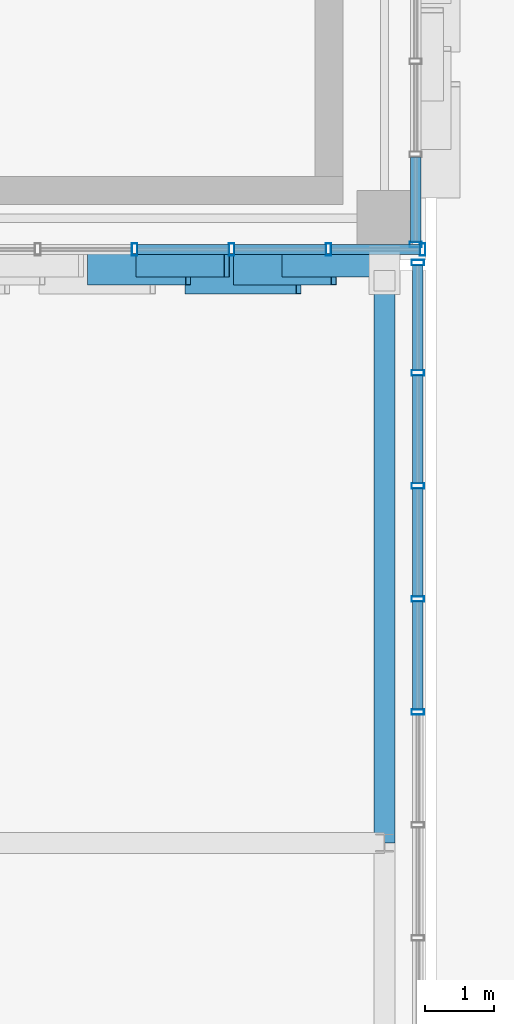
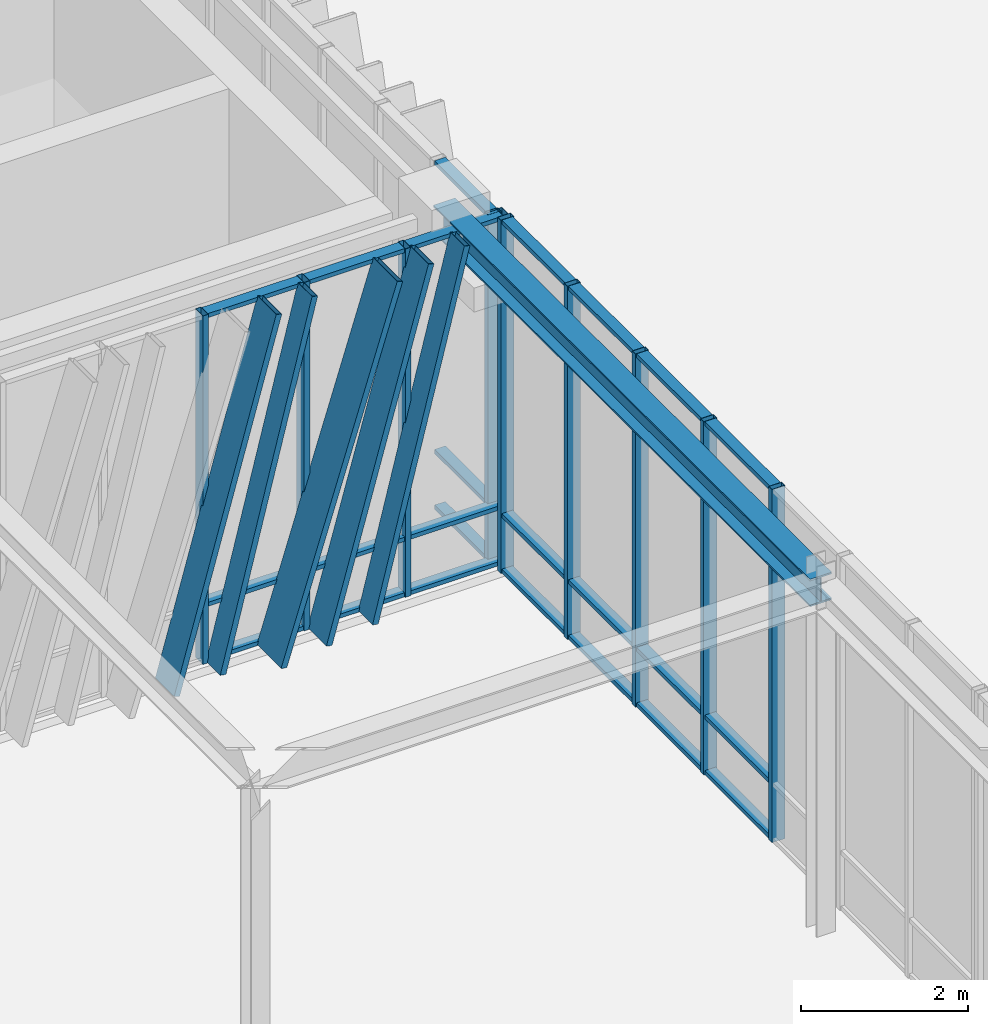
# One storey, part 26 of 122: 39 members, 1 beam, 3 elements without a shape of their own.
"""IFC4 building model written with IfcOpenShell, lengths in metres."""

from ifc_helpers import new_model, si_unit, direction, frame, origin, origin_2d, place, context, subcontext, project, spatial, hollow_rectangle, i_section, extrude, material, layer, layer_set, material_profile, profile_set, type_object, element, aggregate, save


model = new_model("IFC4")

# Units and contexts
model_context = context("Model", 3, precision=1e-05, world=origin(), true_north=direction((0.0, 1.0)))
body_context = subcontext(model_context, "Body", "Model", "MODEL_VIEW")
ifc_project = project(units=[si_unit("LENGTHUNIT", "METRE"), si_unit("AREAUNIT", "SQUARE_METRE"), si_unit("VOLUMEUNIT", "CUBIC_METRE"), si_unit("PLANEANGLEUNIT", "RADIAN"), si_unit("MASSUNIT", "GRAM", prefix="KILO")], contexts=[model_context])

# Site, building, storey
site_placement = place(None, origin())
site = spatial("IfcSite", under=ifc_project, at=site_placement, CompositionType="ELEMENT")
building_placement = place(site_placement, origin())
building = spatial("IfcBuilding", under=site, at=building_placement, Name="Zayran Congress Hotel", CompositionType="ELEMENT")
storey_placement = place(building_placement, origin())
storey = spatial("IfcBuildingStorey", under=building, at=storey_placement, Name="L00", CompositionType="ELEMENT", Elevation=0.0)

# Beam
ifc_material_1 = material(Name="Steel S355", Category="steel")
ifc_material_profile_1 = material_profile(ifc_material_1, i_section(OverallWidth=0.300048828125, OverallDepth=0.39990234375, WebThickness=0.013427734375, FlangeThickness=0.02392578125, at=origin_2d()), Name="HEB 400")
ifc_profile_set_1 = profile_set([ifc_material_profile_1], Name="Steel S355")
beam_type = type_object("IfcBeamType", Name="TP-BM-10", PredefinedType="BEAM", material=ifc_profile_set_1)
beam_placement = place(storey_placement, frame((91.800048828125, 59.199951171875, 4.949951171875), z_axis=(0.0, 1.0, 0.0), x_axis=(-1.0, 0.0, 0.0)))
element("IfcBeam", 1, at=beam_placement, inside=storey, type_object=beam_type, Name="BM-BR2Y-L00-2457", PredefinedType="BEAM", context=body_context, shape_type="SweptSolid", body=[
    extrude(i_section(OverallWidth=0.300048828125, OverallDepth=0.39990234375, WebThickness=0.013427734375, FlangeThickness=0.02392578125, at=origin_2d()), origin(), (0.0, 0.0, 1.0), 9.0),
])

# Curtain wall, members
ifc_material_2 = material(Name="Anodised aluminium and low-E insulated glass", Category="aluminium")
ifc_layer_1 = layer(ifc_material_2, 0.179931640625)
ifc_layer_set_1 = layer_set([ifc_layer_1], Name="Anodised aluminium and low-E insulated glass")
curtain_wall_type_1 = type_object("IfcCurtainWallType", Name="CW-V1S-L00-CW-11-8380-5080", PredefinedType="USERDEFINED", material=ifc_layer_set_1)
curtain_wall_1_placement = place(storey_placement, origin())
curtain_wall_1 = element("IfcCurtainWall", 2, at=curtain_wall_1_placement, inside=storey, type_object=curtain_wall_type_1, Name="CW-V1S-L00-9", ObjectType="CURTAIN WALL", PredefinedType="USERDEFINED")
ifc_material_3 = material(Name="Anodised aluminium framing", Category="aluminium")
ifc_material_profile_2 = material_profile(ifc_material_3, hollow_rectangle(XDim=0.080078125, YDim=0.179931640625, WallThickness=0.0048828125, at=origin_2d()), Name="RHS 180x80x5")
ifc_profile_set_2 = profile_set([ifc_material_profile_2], Name="Anodised aluminium framing")
member_type_1 = type_object("IfcMemberType", Name="TP-CWM-01", PredefinedType="MULLION", material=ifc_profile_set_2)
member_1_placement = place(storey_placement, frame((88.199951171875, 67.75, 0.0), z_axis=(0.0, 0.0, 1.0), x_axis=(1.0, 0.0, 0.0)))
member_1 = element("IfcMember", 3, at=member_1_placement, type_object=member_type_1, Name="CW-V1S-L00-9-M03", PredefinedType="MULLION", context=body_context, shape_type="SweptSolid", body=[
    extrude(hollow_rectangle(XDim=0.080078125, YDim=0.179931640625, WallThickness=0.0048828125, at=origin_2d()), origin(), (0.0, 0.0, 1.0), 5.080078125),
])
member_2_placement = place(storey_placement, frame((89.5966796875, 67.75, 0.0), z_axis=(0.0, 0.0, 1.0), x_axis=(1.0, 0.0, 0.0)))
member_2 = element("IfcMember", 4, at=member_2_placement, type_object=member_type_1, Name="CW-V1S-L00-9-M04", PredefinedType="MULLION", context=body_context, shape_type="SweptSolid", body=[
    extrude(hollow_rectangle(XDim=0.080078125, YDim=0.179931640625, WallThickness=0.0048828125, at=origin_2d()), origin(), (0.0, 0.0, 1.0), 5.080078125),
])
member_3_placement = place(storey_placement, frame((90.993408203125, 67.75, 0.0), z_axis=(0.0, 0.0, 1.0), x_axis=(1.0, 0.0, 0.0)))
member_3 = element("IfcMember", 5, at=member_3_placement, type_object=member_type_1, Name="CW-V1S-L00-9-M05", PredefinedType="MULLION", context=body_context, shape_type="SweptSolid", body=[
    extrude(hollow_rectangle(XDim=0.080078125, YDim=0.179931640625, WallThickness=0.0048828125, at=origin_2d()), origin(), (0.0, 0.0, 1.0), 5.080078125),
])
member_4_placement = place(storey_placement, frame((92.35009765625, 67.75, 0.0), z_axis=(0.0, 0.0, 1.0), x_axis=(1.0, 0.0, 0.0)))
member_4 = element("IfcMember", 6, at=member_4_placement, type_object=member_type_1, Name="CW-V1S-L00-9-M06", PredefinedType="MULLION", context=body_context, shape_type="SweptSolid", body=[
    extrude(hollow_rectangle(XDim=0.080078125, YDim=0.179931640625, WallThickness=0.0048828125, at=origin_2d()), origin(), (0.0, 0.0, 1.0), 5.080078125),
])

# Curtain wall, member
ifc_layer_2 = layer(ifc_material_2, 0.179931640625)
ifc_layer_set_2 = layer_set([ifc_layer_2], Name="Anodised aluminium and low-E insulated glass")
curtain_wall_type_2 = type_object("IfcCurtainWallType", Name="CW-V1E-L00-CW-41-8040-5080", PredefinedType="USERDEFINED", material=ifc_layer_set_2)
curtain_wall_2_placement = place(storey_placement, origin())
curtain_wall_2 = element("IfcCurtainWall", 7, at=curtain_wall_2_placement, inside=storey, type_object=curtain_wall_type_2, Name="CW-V1E-L00-0", ObjectType="CURTAIN WALL", PredefinedType="USERDEFINED")
member_5_placement = place(storey_placement, frame((92.25, 67.820068359375, 0.0), z_axis=(0.0, 0.0, 1.0), x_axis=(0.0, 1.0, 0.0)))
member_5 = element("IfcMember", 8, at=member_5_placement, type_object=member_type_1, Name="CW-V1E-L00-0-M00", PredefinedType="MULLION", context=body_context, shape_type="SweptSolid", body=[
    extrude(hollow_rectangle(XDim=0.080078125, YDim=0.179931640625, WallThickness=0.0048828125, at=origin_2d()), origin(), (0.0, 0.0, 1.0), 5.080078125),
])

# Curtain wall, members
ifc_layer_3 = layer(ifc_material_2, 0.179931640625)
ifc_layer_set_3 = layer_set([ifc_layer_3], Name="Anodised aluminium and low-E insulated glass")
curtain_wall_type_3 = type_object("IfcCurtainWallType", Name="CW-BR2-L00-CW-BR2-11400-5150", PredefinedType="USERDEFINED", material=ifc_layer_set_3)
curtain_wall_3_placement = place(storey_placement, origin())
curtain_wall_3 = element("IfcCurtainWall", 9, at=curtain_wall_3_placement, inside=storey, type_object=curtain_wall_type_3, Name="CW-BR2E-L00-2", ObjectType="CURTAIN WALL", PredefinedType="USERDEFINED")
member_6_placement = place(storey_placement, frame((92.280029296875, 61.085693359375, 0.0), z_axis=(0.0, 0.0, 1.0), x_axis=(0.0, 1.0, 0.0)))
member_6 = element("IfcMember", 10, at=member_6_placement, type_object=member_type_1, Name="CW-BR2E-L00-2-M03", PredefinedType="MULLION", context=body_context, shape_type="SweptSolid", body=[
    extrude(hollow_rectangle(XDim=0.080078125, YDim=0.179931640625, WallThickness=0.0048828125, at=origin_2d()), origin(), (0.0, 0.0, 1.0), 5.14990234375),
])
member_7_placement = place(storey_placement, frame((92.280029296875, 62.71435546875, 0.0), z_axis=(0.0, 0.0, 1.0), x_axis=(0.0, 1.0, 0.0)))
member_7 = element("IfcMember", 11, at=member_7_placement, type_object=member_type_1, Name="CW-BR2E-L00-2-M04", PredefinedType="MULLION", context=body_context, shape_type="SweptSolid", body=[
    extrude(hollow_rectangle(XDim=0.080078125, YDim=0.179931640625, WallThickness=0.0048828125, at=origin_2d()), origin(), (0.0, 0.0, 1.0), 5.14990234375),
])
member_8_placement = place(storey_placement, frame((92.280029296875, 64.343017578125, 0.0), z_axis=(0.0, 0.0, 1.0), x_axis=(0.0, 1.0, 0.0)))
member_8 = element("IfcMember", 12, at=member_8_placement, type_object=member_type_1, Name="CW-BR2E-L00-2-M05", PredefinedType="MULLION", context=body_context, shape_type="SweptSolid", body=[
    extrude(hollow_rectangle(XDim=0.080078125, YDim=0.179931640625, WallThickness=0.0048828125, at=origin_2d()), origin(), (0.0, 0.0, 1.0), 5.14990234375),
])
member_9_placement = place(storey_placement, frame((92.280029296875, 65.971435546875, 0.0), z_axis=(0.0, 0.0, 1.0), x_axis=(0.0, 1.0, 0.0)))
member_9 = element("IfcMember", 13, at=member_9_placement, type_object=member_type_1, Name="CW-BR2E-L00-2-M06", PredefinedType="MULLION", context=body_context, shape_type="SweptSolid", body=[
    extrude(hollow_rectangle(XDim=0.080078125, YDim=0.179931640625, WallThickness=0.0048828125, at=origin_2d()), origin(), (0.0, 0.0, 1.0), 5.14990234375),
])
member_10_placement = place(storey_placement, frame((92.280029296875, 67.56005859375, 0.0), z_axis=(0.0, 0.0, 1.0), x_axis=(0.0, 1.0, 0.0)))
member_10 = element("IfcMember", 14, at=member_10_placement, type_object=member_type_1, Name="CW-BR2E-L00-2-M07", PredefinedType="MULLION", context=body_context, shape_type="SweptSolid", body=[
    extrude(hollow_rectangle(XDim=0.080078125, YDim=0.179931640625, WallThickness=0.0048828125, at=origin_2d()), origin(), (0.0, 0.0, 1.0), 5.14990234375),
])

# Member
ifc_material_profile_3 = material_profile(ifc_material_3, hollow_rectangle(XDim=0.06005859375, YDim=0.14990234375, WallThickness=0.00390625, at=origin_2d()), Name="RHS 150x60x4")
ifc_profile_set_3 = profile_set([ifc_material_profile_3], Name="Anodised aluminium framing")
member_type_2 = type_object("IfcMemberType", Name="TP-CWT-01", PredefinedType="USERDEFINED", material=ifc_profile_set_3)
member_11_placement = place(storey_placement, frame((88.239990234375, 67.75, 0.030029296875), z_axis=(1.0, 0.0, 0.0), x_axis=(0.0, 0.0, 1.0)))
member_11 = element("IfcMember", 15, at=member_11_placement, type_object=member_type_2, Name="CW-V1S-L00-9-T03-0", ObjectType="TRANSOM", PredefinedType="USERDEFINED", context=body_context, shape_type="SweptSolid", body=[
    extrude(hollow_rectangle(XDim=0.06005859375, YDim=0.14990234375, WallThickness=0.00390625, at=origin_2d()), origin(), (0.0, 0.0, 1.0), 1.316650390625),
])

member_12_placement = place(storey_placement, frame((88.239990234375, 67.75, 0.840087890625), z_axis=(1.0, 0.0, 0.0), x_axis=(0.0, 0.0, 1.0)))
member_12 = element("IfcMember", 16, at=member_12_placement, type_object=member_type_2, Name="CW-V1S-L00-9-T03-1", ObjectType="TRANSOM", PredefinedType="USERDEFINED", context=body_context, shape_type="SweptSolid", body=[
    extrude(hollow_rectangle(XDim=0.06005859375, YDim=0.14990234375, WallThickness=0.00390625, at=origin_2d()), origin(), (0.0, 0.0, 1.0), 1.316650390625),
])

member_13_placement = place(storey_placement, frame((88.239990234375, 67.75, 5.050048828125), z_axis=(1.0, 0.0, 0.0), x_axis=(0.0, 0.0, 1.0)))
member_13 = element("IfcMember", 17, at=member_13_placement, type_object=member_type_2, Name="CW-V1S-L00-9-T03-2", ObjectType="TRANSOM", PredefinedType="USERDEFINED", context=body_context, shape_type="SweptSolid", body=[
    extrude(hollow_rectangle(XDim=0.06005859375, YDim=0.14990234375, WallThickness=0.00390625, at=origin_2d()), origin(), (0.0, 0.0, 1.0), 1.316650390625),
])

member_14_placement = place(storey_placement, frame((89.63671875, 67.75, 0.030029296875), z_axis=(1.0, 0.0, 0.0), x_axis=(0.0, 0.0, 1.0)))
member_14 = element("IfcMember", 18, at=member_14_placement, type_object=member_type_2, Name="CW-V1S-L00-9-T04-0", ObjectType="TRANSOM", PredefinedType="USERDEFINED", context=body_context, shape_type="SweptSolid", body=[
    extrude(hollow_rectangle(XDim=0.06005859375, YDim=0.14990234375, WallThickness=0.00390625, at=origin_2d()), origin(), (0.0, 0.0, 1.0), 1.316650390625),
])

member_15_placement = place(storey_placement, frame((89.63671875, 67.75, 0.840087890625), z_axis=(1.0, 0.0, 0.0), x_axis=(0.0, 0.0, 1.0)))
member_15 = element("IfcMember", 19, at=member_15_placement, type_object=member_type_2, Name="CW-V1S-L00-9-T04-1", ObjectType="TRANSOM", PredefinedType="USERDEFINED", context=body_context, shape_type="SweptSolid", body=[
    extrude(hollow_rectangle(XDim=0.06005859375, YDim=0.14990234375, WallThickness=0.00390625, at=origin_2d()), origin(), (0.0, 0.0, 1.0), 1.316650390625),
])

member_16_placement = place(storey_placement, frame((89.63671875, 67.75, 5.050048828125), z_axis=(1.0, 0.0, 0.0), x_axis=(0.0, 0.0, 1.0)))
member_16 = element("IfcMember", 20, at=member_16_placement, type_object=member_type_2, Name="CW-V1S-L00-9-T04-2", ObjectType="TRANSOM", PredefinedType="USERDEFINED", context=body_context, shape_type="SweptSolid", body=[
    extrude(hollow_rectangle(XDim=0.06005859375, YDim=0.14990234375, WallThickness=0.00390625, at=origin_2d()), origin(), (0.0, 0.0, 1.0), 1.316650390625),
])

member_17_placement = place(storey_placement, frame((91.033203125, 67.75, 0.030029296875), z_axis=(1.0, 0.0, 0.0), x_axis=(0.0, 0.0, 1.0)))
member_17 = element("IfcMember", 21, at=member_17_placement, type_object=member_type_2, Name="CW-V1S-L00-9-T05-0", ObjectType="TRANSOM", PredefinedType="USERDEFINED", context=body_context, shape_type="SweptSolid", body=[
    extrude(hollow_rectangle(XDim=0.06005859375, YDim=0.14990234375, WallThickness=0.00390625, at=origin_2d()), origin(), (0.0, 0.0, 1.0), 1.27685546875),
])

member_18_placement = place(storey_placement, frame((91.033203125, 67.75, 0.840087890625), z_axis=(1.0, 0.0, 0.0), x_axis=(0.0, 0.0, 1.0)))
member_18 = element("IfcMember", 22, at=member_18_placement, type_object=member_type_2, Name="CW-V1S-L00-9-T05-1", ObjectType="TRANSOM", PredefinedType="USERDEFINED", context=body_context, shape_type="SweptSolid", body=[
    extrude(hollow_rectangle(XDim=0.06005859375, YDim=0.14990234375, WallThickness=0.00390625, at=origin_2d()), origin(), (0.0, 0.0, 1.0), 1.27685546875),
])

member_19_placement = place(storey_placement, frame((91.033203125, 67.75, 5.050048828125), z_axis=(1.0, 0.0, 0.0), x_axis=(0.0, 0.0, 1.0)))
member_19 = element("IfcMember", 23, at=member_19_placement, type_object=member_type_2, Name="CW-V1S-L00-9-T05-2", ObjectType="TRANSOM", PredefinedType="USERDEFINED", context=body_context, shape_type="SweptSolid", body=[
    extrude(hollow_rectangle(XDim=0.06005859375, YDim=0.14990234375, WallThickness=0.00390625, at=origin_2d()), origin(), (0.0, 0.0, 1.0), 1.27685546875),
])

member_20_placement = place(storey_placement, frame((92.25, 67.860107421875, 0.030029296875), z_axis=(0.0, 1.0, 0.0), x_axis=(0.0, 0.0, 1.0)))
member_20 = element("IfcMember", 24, at=member_20_placement, type_object=member_type_2, Name="CW-V1E-L00-0-T00-0", ObjectType="TRANSOM", PredefinedType="USERDEFINED", context=body_context, shape_type="SweptSolid", body=[
    extrude(hollow_rectangle(XDim=0.06005859375, YDim=0.14990234375, WallThickness=0.00390625, at=origin_2d()), origin(), (0.0, 0.0, 1.0), 1.219970703125),
])

member_21_placement = place(storey_placement, frame((92.25, 67.860107421875, 0.840087890625), z_axis=(0.0, 1.0, 0.0), x_axis=(0.0, 0.0, 1.0)))
member_21 = element("IfcMember", 25, at=member_21_placement, type_object=member_type_2, Name="CW-V1E-L00-0-T00-1", ObjectType="TRANSOM", PredefinedType="USERDEFINED", context=body_context, shape_type="SweptSolid", body=[
    extrude(hollow_rectangle(XDim=0.06005859375, YDim=0.14990234375, WallThickness=0.00390625, at=origin_2d()), origin(), (0.0, 0.0, 1.0), 1.219970703125),
])

member_22_placement = place(storey_placement, frame((92.25, 67.860107421875, 5.050048828125), z_axis=(0.0, 1.0, 0.0), x_axis=(0.0, 0.0, 1.0)))
member_22 = element("IfcMember", 26, at=member_22_placement, type_object=member_type_2, Name="CW-V1E-L00-0-T00-2", ObjectType="TRANSOM", PredefinedType="USERDEFINED", context=body_context, shape_type="SweptSolid", body=[
    extrude(hollow_rectangle(XDim=0.06005859375, YDim=0.14990234375, WallThickness=0.00390625, at=origin_2d()), origin(), (0.0, 0.0, 1.0), 1.219970703125),
])

aggregate(curtain_wall_2, [member_5, member_20, member_21, member_22])

member_23_placement = place(storey_placement, frame((92.280029296875, 61.125732421875, 0.030029296875), z_axis=(0.0, 1.0, 0.0), x_axis=(0.0, 0.0, 1.0)))
member_23 = element("IfcMember", 27, at=member_23_placement, type_object=member_type_2, Name="CW-BR2E-L00-2-T03-0", ObjectType="TRANSOM", PredefinedType="USERDEFINED", context=body_context, shape_type="SweptSolid", body=[
    extrude(hollow_rectangle(XDim=0.06005859375, YDim=0.14990234375, WallThickness=0.00390625, at=origin_2d()), origin(), (0.0, 0.0, 1.0), 1.548583984375),
])

member_24_placement = place(storey_placement, frame((92.280029296875, 61.125732421875, 0.840087890625), z_axis=(0.0, 1.0, 0.0), x_axis=(0.0, 0.0, 1.0)))
member_24 = element("IfcMember", 28, at=member_24_placement, type_object=member_type_2, Name="CW-BR2E-L00-2-T03-1", ObjectType="TRANSOM", PredefinedType="USERDEFINED", context=body_context, shape_type="SweptSolid", body=[
    extrude(hollow_rectangle(XDim=0.06005859375, YDim=0.14990234375, WallThickness=0.00390625, at=origin_2d()), origin(), (0.0, 0.0, 1.0), 1.548583984375),
])

member_25_placement = place(storey_placement, frame((92.280029296875, 61.125732421875, 5.1201171875), z_axis=(0.0, 1.0, 0.0), x_axis=(0.0, 0.0, 1.0)))
member_25 = element("IfcMember", 29, at=member_25_placement, type_object=member_type_2, Name="CW-BR2E-L00-2-T03-2", ObjectType="TRANSOM", PredefinedType="USERDEFINED", context=body_context, shape_type="SweptSolid", body=[
    extrude(hollow_rectangle(XDim=0.06005859375, YDim=0.14990234375, WallThickness=0.00390625, at=origin_2d()), origin(), (0.0, 0.0, 1.0), 1.548583984375),
])

member_26_placement = place(storey_placement, frame((92.280029296875, 62.75439453125, 0.030029296875), z_axis=(0.0, 1.0, 0.0), x_axis=(0.0, 0.0, 1.0)))
member_26 = element("IfcMember", 30, at=member_26_placement, type_object=member_type_2, Name="CW-BR2E-L00-2-T04-0", ObjectType="TRANSOM", PredefinedType="USERDEFINED", context=body_context, shape_type="SweptSolid", body=[
    extrude(hollow_rectangle(XDim=0.06005859375, YDim=0.14990234375, WallThickness=0.00390625, at=origin_2d()), origin(), (0.0, 0.0, 1.0), 1.548583984375),
])

member_27_placement = place(storey_placement, frame((92.280029296875, 62.75439453125, 0.840087890625), z_axis=(0.0, 1.0, 0.0), x_axis=(0.0, 0.0, 1.0)))
member_27 = element("IfcMember", 31, at=member_27_placement, type_object=member_type_2, Name="CW-BR2E-L00-2-T04-1", ObjectType="TRANSOM", PredefinedType="USERDEFINED", context=body_context, shape_type="SweptSolid", body=[
    extrude(hollow_rectangle(XDim=0.06005859375, YDim=0.14990234375, WallThickness=0.00390625, at=origin_2d()), origin(), (0.0, 0.0, 1.0), 1.548583984375),
])

member_28_placement = place(storey_placement, frame((92.280029296875, 62.75439453125, 5.1201171875), z_axis=(0.0, 1.0, 0.0), x_axis=(0.0, 0.0, 1.0)))
member_28 = element("IfcMember", 32, at=member_28_placement, type_object=member_type_2, Name="CW-BR2E-L00-2-T04-2", ObjectType="TRANSOM", PredefinedType="USERDEFINED", context=body_context, shape_type="SweptSolid", body=[
    extrude(hollow_rectangle(XDim=0.06005859375, YDim=0.14990234375, WallThickness=0.00390625, at=origin_2d()), origin(), (0.0, 0.0, 1.0), 1.548583984375),
])

member_29_placement = place(storey_placement, frame((92.280029296875, 64.3828125, 0.030029296875), z_axis=(0.0, 1.0, 0.0), x_axis=(0.0, 0.0, 1.0)))
member_29 = element("IfcMember", 33, at=member_29_placement, type_object=member_type_2, Name="CW-BR2E-L00-2-T05-0", ObjectType="TRANSOM", PredefinedType="USERDEFINED", context=body_context, shape_type="SweptSolid", body=[
    extrude(hollow_rectangle(XDim=0.06005859375, YDim=0.14990234375, WallThickness=0.00390625, at=origin_2d()), origin(), (0.0, 0.0, 1.0), 1.548583984375),
])

member_30_placement = place(storey_placement, frame((92.280029296875, 64.3828125, 0.840087890625), z_axis=(0.0, 1.0, 0.0), x_axis=(0.0, 0.0, 1.0)))
member_30 = element("IfcMember", 34, at=member_30_placement, type_object=member_type_2, Name="CW-BR2E-L00-2-T05-1", ObjectType="TRANSOM", PredefinedType="USERDEFINED", context=body_context, shape_type="SweptSolid", body=[
    extrude(hollow_rectangle(XDim=0.06005859375, YDim=0.14990234375, WallThickness=0.00390625, at=origin_2d()), origin(), (0.0, 0.0, 1.0), 1.548583984375),
])

member_31_placement = place(storey_placement, frame((92.280029296875, 64.3828125, 5.1201171875), z_axis=(0.0, 1.0, 0.0), x_axis=(0.0, 0.0, 1.0)))
member_31 = element("IfcMember", 35, at=member_31_placement, type_object=member_type_2, Name="CW-BR2E-L00-2-T05-2", ObjectType="TRANSOM", PredefinedType="USERDEFINED", context=body_context, shape_type="SweptSolid", body=[
    extrude(hollow_rectangle(XDim=0.06005859375, YDim=0.14990234375, WallThickness=0.00390625, at=origin_2d()), origin(), (0.0, 0.0, 1.0), 1.548583984375),
])

member_32_placement = place(storey_placement, frame((92.280029296875, 66.011474609375, 0.030029296875), z_axis=(0.0, 1.0, 0.0), x_axis=(0.0, 0.0, 1.0)))
member_32 = element("IfcMember", 36, at=member_32_placement, type_object=member_type_2, Name="CW-BR2E-L00-2-T06-0", ObjectType="TRANSOM", PredefinedType="USERDEFINED", context=body_context, shape_type="SweptSolid", body=[
    extrude(hollow_rectangle(XDim=0.06005859375, YDim=0.14990234375, WallThickness=0.00390625, at=origin_2d()), origin(), (0.0, 0.0, 1.0), 1.508544921875),
])

member_33_placement = place(storey_placement, frame((92.280029296875, 66.011474609375, 0.840087890625), z_axis=(0.0, 1.0, 0.0), x_axis=(0.0, 0.0, 1.0)))
member_33 = element("IfcMember", 37, at=member_33_placement, type_object=member_type_2, Name="CW-BR2E-L00-2-T06-1", ObjectType="TRANSOM", PredefinedType="USERDEFINED", context=body_context, shape_type="SweptSolid", body=[
    extrude(hollow_rectangle(XDim=0.06005859375, YDim=0.14990234375, WallThickness=0.00390625, at=origin_2d()), origin(), (0.0, 0.0, 1.0), 1.508544921875),
])

member_34_placement = place(storey_placement, frame((92.280029296875, 66.011474609375, 5.1201171875), z_axis=(0.0, 1.0, 0.0), x_axis=(0.0, 0.0, 1.0)))
member_34 = element("IfcMember", 38, at=member_34_placement, type_object=member_type_2, Name="CW-BR2E-L00-2-T06-2", ObjectType="TRANSOM", PredefinedType="USERDEFINED", context=body_context, shape_type="SweptSolid", body=[
    extrude(hollow_rectangle(XDim=0.06005859375, YDim=0.14990234375, WallThickness=0.00390625, at=origin_2d()), origin(), (0.0, 0.0, 1.0), 1.508544921875),
])

aggregate(curtain_wall_3, [member_6, member_7, member_8, member_9, member_10, member_23, member_24, member_25, member_26, member_27, member_28, member_29, member_30, member_31, member_32, member_33, member_34])

ifc_material_4 = material(Name="Warm bronze anodised aluminium", Category="aluminium")
ifc_material_profile_4 = material_profile(ifc_material_4, hollow_rectangle(XDim=0.080078125, YDim=0.580078125, WallThickness=0.006103515625, at=origin_2d()), Name="RHS 580x80x6")
ifc_profile_set_4 = profile_set([ifc_material_profile_4], Name="Warm bronze anodised aluminium")
member_type_3 = type_object("IfcMemberType", Name="TP-RFN-01", PredefinedType="MULLION", material=ifc_profile_set_4)
member_35_placement = place(storey_placement, frame((88.9599609375, 67.39990234375, 0.0), z_axis=(0.300716755525, 0.0, 0.953713496259), x_axis=(-0.953713496259, 0.0, 0.300716755525)))
member_35 = element("IfcMember", 39, at=member_35_placement, type_object=member_type_3, Name="Slanting Reed Mullion CW-11-07", PredefinedType="MULLION", context=body_context, shape_type="SweptSolid", body=[
    extrude(hollow_rectangle(XDim=0.080078125, YDim=0.580078125, WallThickness=0.006103515625, at=origin_2d()), origin(), (0.0, 0.0, 1.0), 5.32666015625),
])

ifc_material_profile_5 = material_profile(ifc_material_4, hollow_rectangle(XDim=0.080078125, YDim=0.449951171875, WallThickness=0.006103515625, at=origin_2d()), Name="RHS 450x80x6")
ifc_profile_set_5 = profile_set([ifc_material_profile_5], Name="Warm bronze anodised aluminium")
member_type_4 = type_object("IfcMemberType", Name="TP-RFN-02", PredefinedType="MULLION", material=ifc_profile_set_5)
member_36_placement = place(storey_placement, frame((87.56005859375, 67.465087890625, 0.0), z_axis=(0.267213902124, 0.0, 0.963637240102), x_axis=(-0.963637240102, 0.0, 0.267213902124)))
member_36 = element("IfcMember", 40, at=member_36_placement, type_object=member_type_4, Name="Slanting Reed Mullion CW-11-05", PredefinedType="MULLION", context=body_context, shape_type="SweptSolid", body=[
    extrude(hollow_rectangle(XDim=0.080078125, YDim=0.449951171875, WallThickness=0.006103515625, at=origin_2d()), origin(), (0.0, 0.0, 1.0), 5.271728515625),
])

member_37_placement = place(storey_placement, frame((89.659912109375, 67.465087890625, 0.0), z_axis=(0.267256905477, 0.0, 0.96362531436), x_axis=(-0.96362531436, 0.0, 0.267256905477)))
member_37 = element("IfcMember", 41, at=member_37_placement, type_object=member_type_4, Name="Slanting Reed Mullion CW-11-08", PredefinedType="MULLION", context=body_context, shape_type="SweptSolid", body=[
    extrude(hollow_rectangle(XDim=0.080078125, YDim=0.449951171875, WallThickness=0.006103515625, at=origin_2d()), origin(), (0.0, 0.0, 1.0), 5.271728515625),
])

ifc_material_profile_6 = material_profile(ifc_material_4, hollow_rectangle(XDim=0.080078125, YDim=0.340087890625, WallThickness=0.006103515625, at=origin_2d()), Name="RHS 340x80x6")
ifc_profile_set_6 = profile_set([ifc_material_profile_6], Name="Warm bronze anodised aluminium")
member_type_5 = type_object("IfcMemberType", Name="TP-RFN-03", PredefinedType="MULLION", material=ifc_profile_set_6)
member_38_placement = place(storey_placement, frame((88.260009765625, 67.52001953125, 0.0), z_axis=(0.241921145618, 0.0, 0.970295913267), x_axis=(-0.970295913267, 0.0, 0.241921145618)))
member_38 = element("IfcMember", 42, at=member_38_placement, type_object=member_type_5, Name="Slanting Reed Mullion CW-11-06", PredefinedType="MULLION", context=body_context, shape_type="SweptSolid", body=[
    extrude(hollow_rectangle(XDim=0.080078125, YDim=0.340087890625, WallThickness=0.006103515625, at=origin_2d()), origin(), (0.0, 0.0, 1.0), 5.235595703125),
])

member_39_placement = place(storey_placement, frame((90.360107421875, 67.52001953125, 0.0), z_axis=(0.241921145618, 0.0, 0.970295913267), x_axis=(-0.970295913267, 0.0, 0.241921145618)))
member_39 = element("IfcMember", 43, at=member_39_placement, type_object=member_type_5, Name="Slanting Reed Mullion CW-11-09", PredefinedType="MULLION", context=body_context, shape_type="SweptSolid", body=[
    extrude(hollow_rectangle(XDim=0.080078125, YDim=0.340087890625, WallThickness=0.006103515625, at=origin_2d()), origin(), (0.0, 0.0, 1.0), 5.235595703125),
])

aggregate(curtain_wall_1, [member_1, member_2, member_3, member_4, member_11, member_12, member_13, member_14, member_15, member_16, member_17, member_18, member_19, member_36, member_38, member_35, member_37, member_39])

save(model, "model.ifc")
